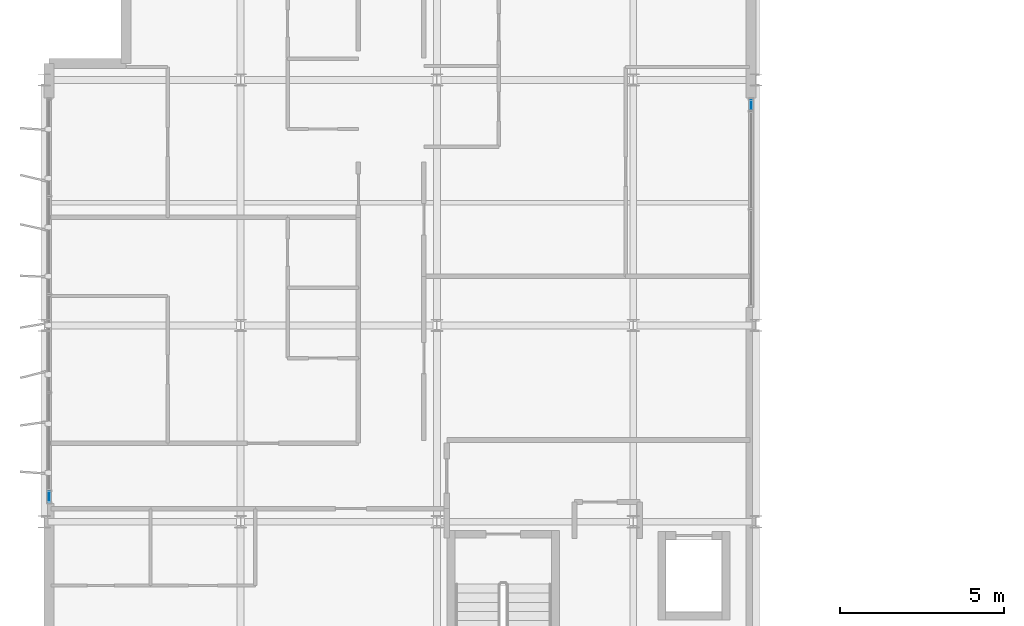
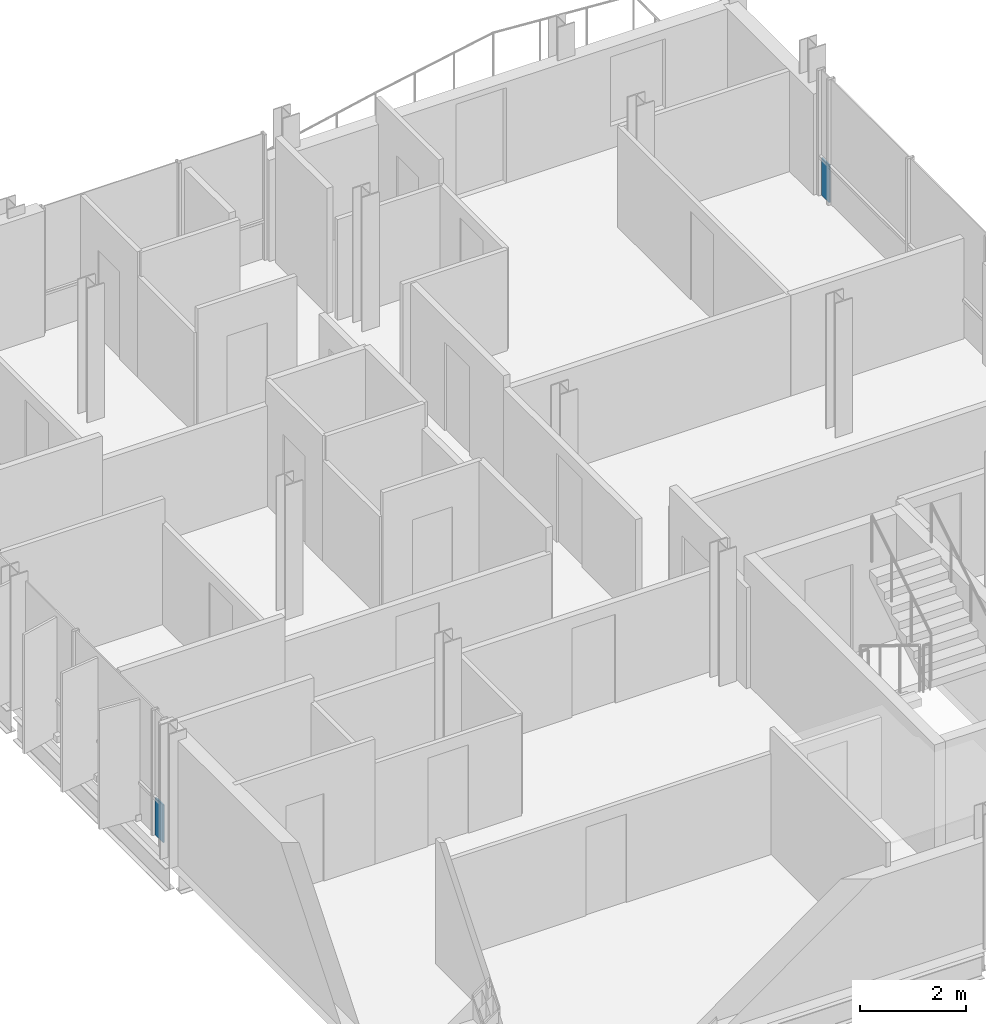
# One storey, part 20 of 30: 2 plates, 2 elements without a shape of their own.
"""IFC4 building model written with IfcOpenShell, lengths in metres."""

from ifc_helpers import new_model, si_unit, direction, frame, origin, origin_2d, place, context, subcontext, project, spatial, rectangle, extrude, material, layer, layer_set, type_object, element, aggregate, save


model = new_model("IFC4")

# Units and contexts
model_context = context("Model", 3, precision=1e-05, world=origin(), true_north=direction((0.0, 1.0)))
body_context = subcontext(model_context, "Body", "Model", "MODEL_VIEW")
ifc_project = project(units=[si_unit("LENGTHUNIT", "METRE"), si_unit("AREAUNIT", "SQUARE_METRE"), si_unit("VOLUMEUNIT", "CUBIC_METRE"), si_unit("PLANEANGLEUNIT", "RADIAN"), si_unit("MASSUNIT", "GRAM", prefix="KILO")], contexts=[model_context])

# Site, building, storey
site_placement = place(None, origin())
site = spatial("IfcSite", under=ifc_project, at=site_placement, CompositionType="ELEMENT")
building_placement = place(site_placement, origin())
building = spatial("IfcBuilding", under=site, at=building_placement, Name="Brevholm Reach", CompositionType="ELEMENT")
storey_placement = place(building_placement, frame((0.0, 0.0, 204.89990234375)))
storey = spatial("IfcBuildingStorey", under=building, at=storey_placement, Name="L62", CompositionType="ELEMENT", Elevation=204.89990234375)

# Curtain wall, plate
ifc_material_1 = material(Name="Dark Anodised Aluminium 6063-T6 and Solar-Control Glass", Category="aluminium")
ifc_layer_1 = layer(ifc_material_1, 0.14990234375)
ifc_layer_set_1 = layer_set([ifc_layer_1], Name="Dark Anodised Aluminium 6063-T6 and Solar-Control Glass")
curtain_wall_type_1 = type_object("IfcCurtainWallType", Name="CW-01", PredefinedType="NOTDEFINED", material=ifc_layer_set_1)
curtain_wall_1_placement = place(storey_placement, origin())
curtain_wall_1 = element("IfcCurtainWall", 1, at=curtain_wall_1_placement, inside=storey, type_object=curtain_wall_type_1, Name="L62 Curtain Wall CW-01", PredefinedType="NOTDEFINED")
ifc_material_2 = material(Name="Dark Solar-Control Double-Glazed IGU Glass", Category="glass")
ifc_layer_2 = layer(ifc_material_2, 0.028076171875)
ifc_layer_set_2 = layer_set([ifc_layer_2], Name="Dark Solar-Control Double-Glazed IGU Glass")
plate_type = type_object("IfcPlateType", Name="CWP-GLZ-28", PredefinedType="CURTAIN_PANEL", material=ifc_layer_set_2)
plate_1_placement = place(storey_placement, frame((0.14990234375, 10.766357421875, 0.0), z_axis=(0.0, 0.0, 1.0), x_axis=(0.0, -1.0, 0.0)))
plate_1 = element("IfcPlate", 2, at=plate_1_placement, type_object=plate_type, Name="CP-01 Glazing Panel 5.1", PredefinedType="CURTAIN_PANEL", context=body_context, shape_type="SweptSolid", body=[
    extrude(rectangle(XDim=0.302490234375, YDim=0.028076171875, at=origin_2d()), origin(), (0.0, 0.0, 1.0), 0.867431640625),
])
aggregate(curtain_wall_1, [plate_1])

ifc_material_3 = material(Name="Dark Anodised Aluminium 6063-T6 and Solar-Control Glass", Category="aluminium")
ifc_layer_3 = layer(ifc_material_3, 0.1650390625)
ifc_layer_set_3 = layer_set([ifc_layer_3], Name="Dark Anodised Aluminium 6063-T6 and Solar-Control Glass")
curtain_wall_type_2 = type_object("IfcCurtainWallType", Name="CW-04", PredefinedType="NOTDEFINED", material=ifc_layer_set_3)
curtain_wall_2_placement = place(storey_placement, origin())
curtain_wall_2 = element("IfcCurtainWall", 3, at=curtain_wall_2_placement, inside=storey, type_object=curtain_wall_type_2, Name="L62 Curtain Wall CW-04", PredefinedType="NOTDEFINED")
plate_2_placement = place(storey_placement, frame((21.60009765625, 22.732421875, 0.0), z_axis=(0.0, 0.0, 1.0), x_axis=(0.0, 1.0, 0.0)))
plate_2 = element("IfcPlate", 4, at=plate_2_placement, type_object=plate_type, Name="CP-01 Glazing Panel 3.1", PredefinedType="CURTAIN_PANEL", context=body_context, shape_type="SweptSolid", body=[
    extrude(rectangle(XDim=0.294921875, YDim=0.028076171875, at=origin_2d()), origin(), (0.0, 0.0, 1.0), 0.864990234375),
])
aggregate(curtain_wall_2, [plate_2])

save(model, "model.ifc")
